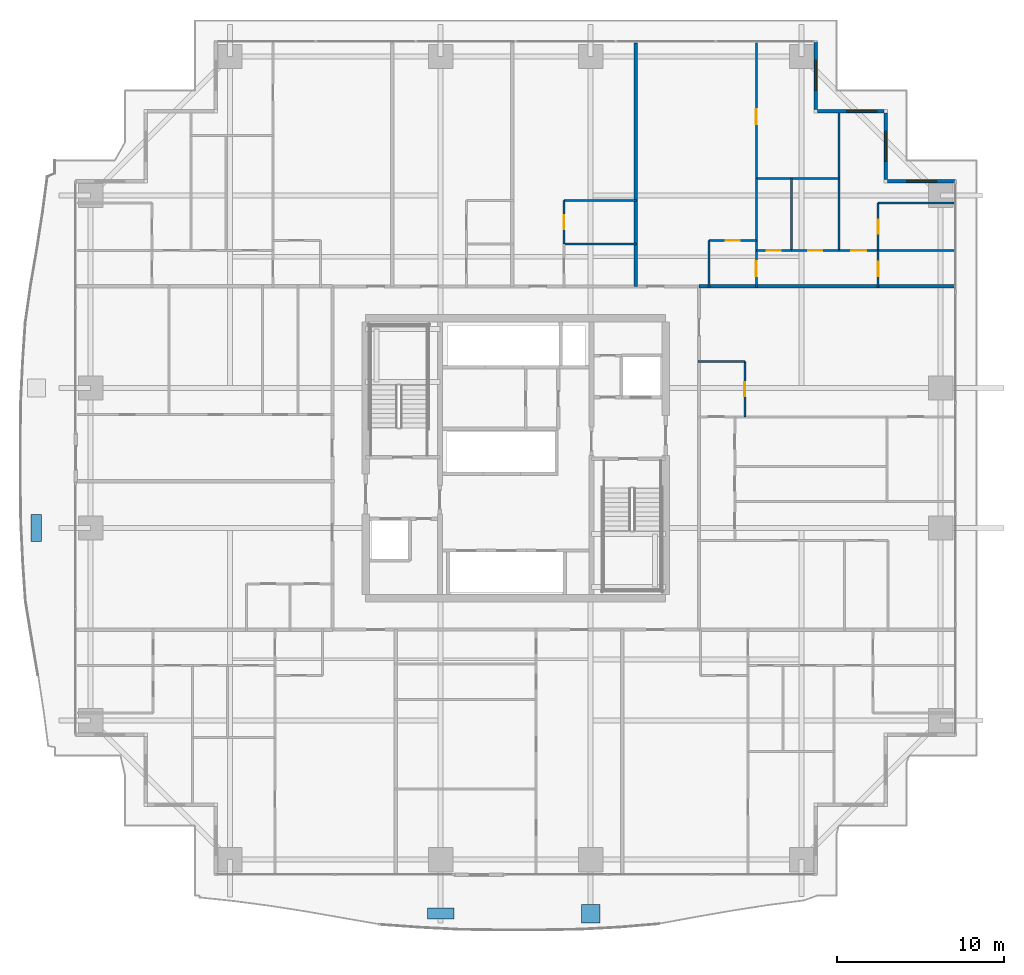
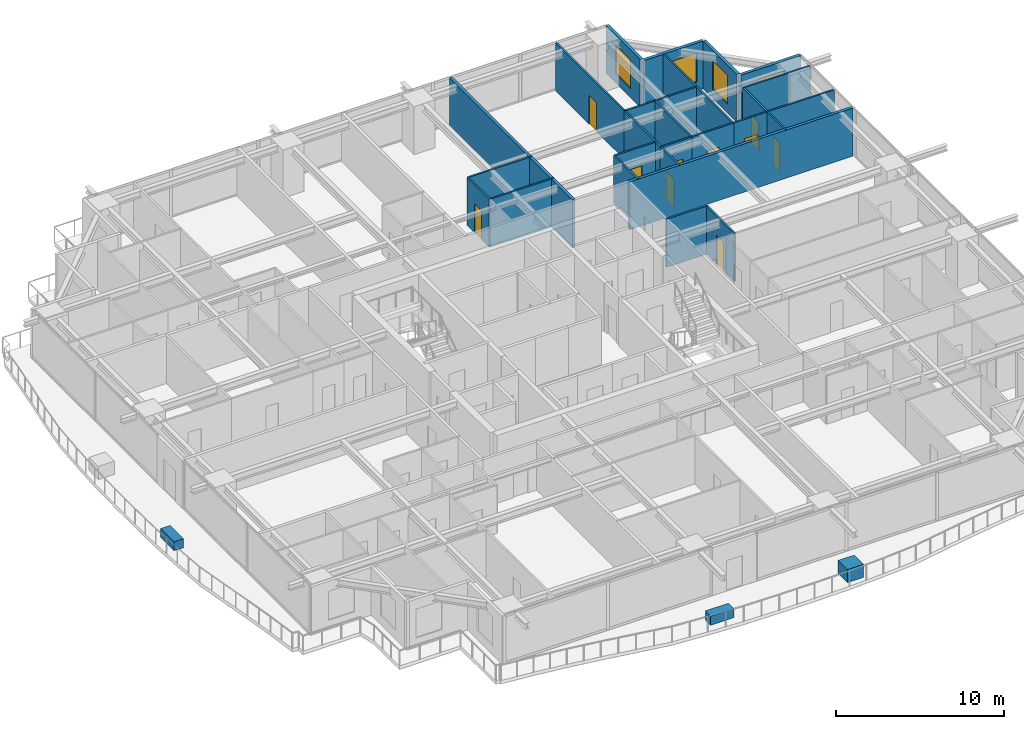
# One storey, part 32 of 41: 26 walls, 10 doors, 4 windows, 3 discrete accessories, 14 openings.
"""IFC4 building model written with IfcOpenShell, lengths in metres."""

from ifc_helpers import new_model, si_unit, direction, frame, frame_2d, origin, origin_2d, place, context, subcontext, project, spatial, rectangle, extrude, source, transform, mapped, material, layer, layer_set, type_object, element, fill, save


model = new_model("IFC4")

# Units and contexts
model_context = context("Model", 3, precision=1e-05, world=origin(), true_north=direction((0.0, 1.0)))
body_context = subcontext(model_context, "Body", "Model", "MODEL_VIEW")
ifc_project = project(units=[si_unit("LENGTHUNIT", "METRE"), si_unit("AREAUNIT", "SQUARE_METRE"), si_unit("VOLUMEUNIT", "CUBIC_METRE"), si_unit("PLANEANGLEUNIT", "RADIAN"), si_unit("MASSUNIT", "GRAM", prefix="KILO")], contexts=[model_context])

# Site, building, storey
site_placement = place(None, origin())
site = spatial("IfcSite", under=ifc_project, at=site_placement, CompositionType="ELEMENT")
building_placement = place(site_placement, origin())
building = spatial("IfcBuilding", under=site, at=building_placement, Name="Serunith Strait Residences", CompositionType="ELEMENT")
storey_placement = place(building_placement, frame((0.0, 0.0, 45.449951171875)))
storey = spatial("IfcBuildingStorey", under=building, at=storey_placement, Name="L10", CompositionType="ELEMENT", Elevation=45.449951171875)

# Wall, opening, window
ifc_material_1 = material(Name="Pale-Champagne Aluminium Insulated Panel", Category="aluminium")
ifc_layer_1 = layer(ifc_material_1, 0.219970703125, Name="Pale-Champagne Aluminium Insulated Panel")
ifc_layer_set_1 = layer_set([ifc_layer_1], Name="Pale-Champagne Aluminium Insulated Panel")
wall_type_1 = type_object("IfcWallType", Name="EW-ALUM-220", PredefinedType="ELEMENTEDWALL", material=ifc_layer_set_1)
wall_1_placement = place(storey_placement, frame((58.800048828125, 41.800048828125, 0.0), z_axis=(0.0, 0.0, 1.0), x_axis=(-1.0, 0.0, 0.0)))
wall_1 = element("IfcWall", 1, at=wall_1_placement, inside=storey, type_object=wall_type_1, Name="L10 Girih Serrated Corner Wall 07", PredefinedType="ELEMENTEDWALL", context=body_context, shape_type="SweptSolid", body=[
    extrude(rectangle(XDim=4.090087890625, YDim=0.219970703125, at=frame_2d((2.044921875, 0.0))), origin(), (0.0, 0.0, 1.0), 3.47509765625),
])
opening_1_placement = place(wall_1_placement, frame((1.14501953125, 0.0, 0.64990234375)))
opening_1 = element("IfcOpeningElement", 2, at=opening_1_placement, cuts=wall_1, Name="Opening W-01", PredefinedType="OPENING", context=body_context, shape_type="SweptSolid", body=[
    extrude(rectangle(XDim=1.800048828125, YDim=2.10009765625, at=frame_2d((0.89990234375, 1.050048828125))), frame((0.0, 0.1201171875, 0.0), z_axis=(0.0, -1.0, 0.0), x_axis=(1.0, 0.0, 0.0)), (0.0, 0.0, 1.0), 0.239990234375),
])
ifc_material_2 = material(Name="Ceramic-Fritted Operable Aluminium Window Glass", Category="aluminium")
window_type = type_object("IfcWindowType", Name="WIN-C1", PartitioningType="DOUBLE_PANEL_VERTICAL", PredefinedType="WINDOW", material=ifc_material_2)
shared_shape_1 = source(origin(), body_context, "Body", "SweptSolid", [
    extrude(rectangle(XDim=1.800048828125, YDim=2.10009765625, at=frame_2d((0.89990234375, 1.050048828125))), frame((0.0, 0.030029296875, 0.0), z_axis=(0.0, -1.0, 0.0), x_axis=(1.0, 0.0, 0.0)), (0.0, 0.0, 1.0), 0.06005859375),
])
window_1_placement = place(opening_1_placement, origin())
window_1 = element("IfcWindow", 3, at=window_1_placement, inside=storey, type_object=window_type, Name="L10 Corner Operable Fritted Window 07", OverallHeight=2.10009765625, OverallWidth=1.800048828125, PartitioningType="SINGLE_PANEL", PredefinedType="WINDOW", context=body_context, shape_type="MappedRepresentation", body=[
    mapped(shared_shape_1, transform((0.0, 0.0, 0.0), scale=1.0)),
])
fill(opening_1, window_1)

wall_2_placement = place(storey_placement, frame((54.60009765625, 41.909912109375, 0.0), z_axis=(0.0, 0.0, 1.0), x_axis=(0.0, 1.0, 0.0)))
wall_2 = element("IfcWall", 4, at=wall_2_placement, inside=storey, type_object=wall_type_1, Name="L10 Girih Serrated Corner Wall 08", PredefinedType="ELEMENTEDWALL", context=body_context, shape_type="SweptSolid", body=[
    extrude(rectangle(XDim=3.97998046875, YDim=0.219970703125, at=frame_2d((1.989990234375, 0.0))), origin(), (0.0, 0.0, 1.0), 3.47509765625),
])
opening_2_placement = place(wall_2_placement, frame((1.090087890625, 0.0, 0.64990234375)))
opening_2 = element("IfcOpeningElement", 5, at=opening_2_placement, cuts=wall_2, Name="Opening W-01", PredefinedType="OPENING", context=body_context, shape_type="SweptSolid", body=[
    extrude(rectangle(XDim=1.800048828125, YDim=2.10009765625, at=frame_2d((0.89990234375, 1.050048828125))), frame((0.0, 0.1201171875, 0.0), z_axis=(0.0, -1.0, 0.0), x_axis=(1.0, 0.0, 0.0)), (0.0, 0.0, 1.0), 0.239990234375),
])
window_2_placement = place(opening_2_placement, origin())
window_2 = element("IfcWindow", 6, at=window_2_placement, inside=storey, type_object=window_type, Name="L10 Corner Operable Fritted Window 08", OverallHeight=2.10009765625, OverallWidth=1.800048828125, PartitioningType="SINGLE_PANEL", PredefinedType="WINDOW", context=body_context, shape_type="MappedRepresentation", body=[
    mapped(shared_shape_1, transform((0.0, 0.0, 0.0), scale=1.0)),
])
fill(opening_2, window_2)

wall_3_placement = place(storey_placement, frame((54.489990234375, 46.0, 0.0), z_axis=(0.0, 0.0, 1.0), x_axis=(-1.0, 0.0, 0.0)))
wall_3 = element("IfcWall", 7, at=wall_3_placement, inside=storey, type_object=wall_type_1, Name="L10 Girih Serrated Corner Wall 09", PredefinedType="ELEMENTEDWALL", context=body_context, shape_type="SweptSolid", body=[
    extrude(rectangle(XDim=3.97998046875, YDim=0.219970703125, at=frame_2d((1.989990234375, 0.0))), origin(), (0.0, 0.0, 1.0), 3.47509765625),
])
opening_3_placement = place(wall_3_placement, frame((0.43603515625, 0.0, 0.64990234375)))
opening_3 = element("IfcOpeningElement", 8, at=opening_3_placement, cuts=wall_3, Name="Opening W-01", PredefinedType="OPENING", context=body_context, shape_type="SweptSolid", body=[
    extrude(rectangle(XDim=1.800048828125, YDim=2.10009765625, at=frame_2d((0.89990234375, 1.050048828125))), frame((0.0, 0.1201171875, 0.0), z_axis=(0.0, -1.0, 0.0), x_axis=(1.0, 0.0, 0.0)), (0.0, 0.0, 1.0), 0.239990234375),
])
window_3_placement = place(opening_3_placement, origin())
window_3 = element("IfcWindow", 9, at=window_3_placement, inside=storey, type_object=window_type, Name="L10 Corner Operable Fritted Window 09", OverallHeight=2.10009765625, OverallWidth=1.800048828125, PartitioningType="SINGLE_PANEL", PredefinedType="WINDOW", context=body_context, shape_type="MappedRepresentation", body=[
    mapped(shared_shape_1, transform((0.0, 0.0, 0.0), scale=1.0)),
])
fill(opening_3, window_3)

wall_4_placement = place(storey_placement, frame((50.39990234375, 46.110107421875, 0.0), z_axis=(0.0, 0.0, 1.0), x_axis=(0.0, 1.0, 0.0)))
wall_4 = element("IfcWall", 10, at=wall_4_placement, inside=storey, type_object=wall_type_1, Name="L10 Girih Serrated Corner Wall 10", PredefinedType="ELEMENTEDWALL", context=body_context, shape_type="SweptSolid", body=[
    extrude(rectangle(XDim=4.08984375, YDim=0.219970703125, at=frame_2d((2.044921875, 0.0))), origin(), (0.0, 0.0, 1.0), 3.47509765625),
])
opening_4_placement = place(wall_4_placement, frame((1.14501953125, 0.0, 0.64990234375)))
opening_4 = element("IfcOpeningElement", 11, at=opening_4_placement, cuts=wall_4, Name="Opening W-01", PredefinedType="OPENING", context=body_context, shape_type="SweptSolid", body=[
    extrude(rectangle(XDim=1.800048828125, YDim=2.10009765625, at=frame_2d((0.89990234375, 1.050048828125))), frame((0.0, 0.1201171875, 0.0), z_axis=(0.0, -1.0, 0.0), x_axis=(1.0, 0.0, 0.0)), (0.0, 0.0, 1.0), 0.239990234375),
])
window_4_placement = place(opening_4_placement, origin())
window_4 = element("IfcWindow", 12, at=window_4_placement, inside=storey, type_object=window_type, Name="L10 Corner Operable Fritted Window 10", OverallHeight=2.10009765625, OverallWidth=1.800048828125, PartitioningType="SINGLE_PANEL", PredefinedType="WINDOW", context=body_context, shape_type="MappedRepresentation", body=[
    mapped(shared_shape_1, transform((0.0, 0.0, 0.0), scale=1.0)),
])
fill(opening_4, window_4)

# Wall, opening, door
ifc_material_3 = material(Name="Lightweight steel-stud gypsum partition", Category="steel")
ifc_layer_2 = layer(ifc_material_3, 0.1201171875, Name="Lightweight steel-stud gypsum partition")
ifc_layer_set_2 = layer_set([ifc_layer_2], Name="Lightweight steel-stud gypsum partition")
wall_type_2 = type_object("IfcWallType", Name="IW-PART-120", PredefinedType="PARTITIONING", material=ifc_layer_set_2)
wall_5_placement = place(storey_placement, frame((35.300048828125, 40.64990234375, 0.0), z_axis=(0.0, 0.0, 1.0), x_axis=(0.0, -1.0, 0.0)))
wall_5 = element("IfcWall", 13, at=wall_5_placement, inside=storey, type_object=wall_type_2, Name="L10 Partition Wall 085", PredefinedType="PARTITIONING", context=body_context, shape_type="SweptSolid", body=[
    extrude(rectangle(XDim=2.599853515625, YDim=0.1201171875, at=frame_2d((1.2998046875, 0.0))), origin(), (0.0, 0.0, 1.0), 3.489990234375),
])
opening_5_placement = place(wall_5_placement, frame((0.875, 0.0, 0.0)))
opening_5 = element("IfcOpeningElement", 14, at=opening_5_placement, cuts=wall_5, Name="Opening D-RM850", PredefinedType="OPENING", context=body_context, shape_type="SweptSolid", body=[
    extrude(rectangle(XDim=0.85009765625, YDim=2.10009765625, at=frame_2d((0.425048828125, 1.050048828125))), frame((0.0, 0.070068359375, 0.0), z_axis=(0.0, -1.0, 0.0), x_axis=(1.0, 0.0, 0.0)), (0.0, 0.0, 1.0), 0.14013671875),
])
ifc_material_4 = material(Name="Engineered timber flush study and kitchen door", Category="wood")
door_type_1 = type_object("IfcDoorType", Name="ID-ROOM-850", OperationType="NOTDEFINED", PredefinedType="DOOR", material=ifc_material_4)
shared_shape_2 = source(origin(), body_context, "Body", "SweptSolid", [
    extrude(rectangle(XDim=0.85009765625, YDim=2.10009765625, at=frame_2d((0.425048828125, 1.050048828125))), frame((0.0, 0.02490234375, 0.0), z_axis=(0.0, -1.0, 0.0), x_axis=(1.0, 0.0, 0.0)), (0.0, 0.0, 1.0), 0.050048828125),
])
door_1_placement = place(opening_5_placement, origin())
door_1 = element("IfcDoor", 15, at=door_1_placement, inside=storey, type_object=door_type_1, Name="L10 Kitchen 1006 Door", OperationType="SINGLE_SWING_RIGHT", OverallHeight=2.10009765625, OverallWidth=0.85009765625, PredefinedType="DOOR", context=body_context, shape_type="MappedRepresentation", body=[
    mapped(shared_shape_2, transform((0.0, 0.0, 0.0), scale=1.0)),
])
fill(opening_5, door_1)

# Walls
for number, where, z_axis, x_axis, name in (
    (16, (35.300048828125, 38.050048828125, 0.0), (0.0, 0.0, 1.0), (1.0, 0.0, 0.0), "L10 Partition Wall 087"),
    (17, (35.300048828125, 40.64990234375, 0.0), (0.0, 0.0, 1.0), (1.0, 0.0, 0.0), "L10 Partition Wall 088"),
):
    element("IfcWall", number, at=place(storey_placement, frame(where, z_axis=z_axis, x_axis=x_axis)), inside=storey, type_object=wall_type_2, Name=name, PredefinedType="PARTITIONING", context=body_context, shape_type="SweptSolid", body=[
        extrude(rectangle(XDim=4.35986328125, YDim=0.1201171875, at=frame_2d((2.179931640625, 0.0))), origin(), (0.0, 0.0, 1.0), 3.489990234375),
    ])

# Wall, opening, door
wall_6_placement = place(storey_placement, frame((43.989990234375, 38.25, 0.0), z_axis=(0.0, 0.0, 1.0), x_axis=(1.0, 0.0, 0.0)))
wall_6 = element("IfcWall", 18, at=wall_6_placement, inside=storey, type_object=wall_type_2, Name="L10 Partition Wall 089", PredefinedType="PARTITIONING", context=body_context, shape_type="SweptSolid", body=[
    extrude(rectangle(XDim=2.85009765625, YDim=0.1201171875, at=frame_2d((1.425048828125, 0.0))), origin(), (0.0, 0.0, 1.0), 3.489990234375),
])
opening_6_placement = place(wall_6_placement, frame((1.0, 0.0, 0.0)))
opening_6 = element("IfcOpeningElement", 19, at=opening_6_placement, cuts=wall_6, Name="Opening D-RM850", PredefinedType="OPENING", context=body_context, shape_type="SweptSolid", body=[
    extrude(rectangle(XDim=0.85009765625, YDim=2.10009765625, at=frame_2d((0.425048828125, 1.050048828125))), frame((0.0, 0.070068359375, 0.0), z_axis=(0.0, -1.0, 0.0), x_axis=(1.0, 0.0, 0.0)), (0.0, 0.0, 1.0), 0.14013671875),
])
door_2_placement = place(opening_6_placement, origin())
door_2 = element("IfcDoor", 20, at=door_2_placement, inside=storey, type_object=door_type_1, Name="L10 Kitchen 1007 Door", OperationType="SINGLE_SWING_RIGHT", OverallHeight=2.10009765625, OverallWidth=0.85009765625, PredefinedType="DOOR", context=body_context, shape_type="MappedRepresentation", body=[
    mapped(shared_shape_2, transform((0.0, 0.0, 0.0), scale=1.0)),
])
fill(opening_6, door_2)

# Wall
wall_7_placement = place(storey_placement, frame((43.989990234375, 38.25, 0.0), z_axis=(0.0, 0.0, 1.0), x_axis=(0.0, -1.0, 0.0)))
element("IfcWall", 21, at=wall_7_placement, inside=storey, type_object=wall_type_2, Name="L10 Partition Wall 090", PredefinedType="PARTITIONING", context=body_context, shape_type="SweptSolid", body=[
    extrude(rectangle(XDim=2.81005859375, YDim=0.1201171875, at=frame_2d((1.405029296875, 0.0))), origin(), (0.0, 0.0, 1.0), 3.489990234375),
])

# Wall, opening, door
wall_8_placement = place(storey_placement, frame((46.840087890625, 37.64990234375, 0.0), z_axis=(0.0, 0.0, 1.0), x_axis=(0.0, -1.0, 0.0)))
wall_8 = element("IfcWall", 22, at=wall_8_placement, inside=storey, type_object=wall_type_2, Name="L10 Partition Wall 091", PredefinedType="PARTITIONING", context=body_context, shape_type="SweptSolid", body=[
    extrude(rectangle(XDim=2.2099609375, YDim=0.1201171875, at=frame_2d((1.10498046875, 0.0))), origin(), (0.0, 0.0, 1.0), 3.489990234375),
])
opening_7_placement = place(wall_8_placement, frame((0.655029296875, 0.0, 0.0)))
opening_7 = element("IfcOpeningElement", 23, at=opening_7_placement, cuts=wall_8, Name="Opening D-RM900", PredefinedType="OPENING", context=body_context, shape_type="SweptSolid", body=[
    extrude(rectangle(XDim=0.89990234375, YDim=2.10009765625, at=frame_2d((0.449951171875, 1.050048828125))), frame((0.0, 0.070068359375, 0.0), z_axis=(0.0, -1.0, 0.0), x_axis=(1.0, 0.0, 0.0)), (0.0, 0.0, 1.0), 0.14013671875),
])
ifc_material_5 = material(Name="Engineered timber flush bedroom door", Category="wood")
door_type_2 = type_object("IfcDoorType", Name="ID-ROOM-900", OperationType="NOTDEFINED", PredefinedType="DOOR", material=ifc_material_5)
shared_shape_3 = source(origin(), body_context, "Body", "SweptSolid", [
    extrude(rectangle(XDim=0.89990234375, YDim=2.10009765625, at=frame_2d((0.449951171875, 1.050048828125))), frame((0.0, 0.02490234375, 0.0), z_axis=(0.0, -1.0, 0.0), x_axis=(1.0, 0.0, 0.0)), (0.0, 0.0, 1.0), 0.050048828125),
])
door_3_placement = place(opening_7_placement, origin())
door_3 = element("IfcDoor", 24, at=door_3_placement, inside=storey, type_object=door_type_2, Name="L10 Hall E 1007 Door", OperationType="SINGLE_SWING_LEFT", OverallHeight=2.10009765625, OverallWidth=0.89990234375, PredefinedType="DOOR", context=body_context, shape_type="MappedRepresentation", body=[
    mapped(shared_shape_3, transform((0.0, 0.0, 0.0), scale=1.0)),
])
fill(opening_7, door_3)

wall_9_placement = place(storey_placement, frame((46.840087890625, 50.10498046875, 0.0), z_axis=(0.0, 0.0, 1.0), x_axis=(0.0, -1.0, 0.0)))
wall_9 = element("IfcWall", 25, at=wall_9_placement, inside=storey, type_object=wall_type_2, Name="L10 Partition Wall 092", PredefinedType="PARTITIONING", context=body_context, shape_type="SweptSolid", body=[
    extrude(rectangle(XDim=8.12890625, YDim=0.1201171875, at=frame_2d((4.064453125, 0.0))), origin(), (0.0, 0.0, 1.0), 3.489990234375),
])
opening_8_placement = place(wall_9_placement, frame((3.97607421875, 0.0, 0.0)))
opening_8 = element("IfcOpeningElement", 26, at=opening_8_placement, cuts=wall_9, Name="Opening D-RM900", PredefinedType="OPENING", context=body_context, shape_type="SweptSolid", body=[
    extrude(rectangle(XDim=0.89990234375, YDim=2.10009765625, at=frame_2d((0.449951171875, 1.050048828125))), frame((0.0, 0.070068359375, 0.0), z_axis=(0.0, -1.0, 0.0), x_axis=(1.0, 0.0, 0.0)), (0.0, 0.0, 1.0), 0.14013671875),
])
door_4_placement = place(opening_8_placement, origin())
door_4 = element("IfcDoor", 27, at=door_4_placement, inside=storey, type_object=door_type_2, Name="L10 Formal Dining Room 1 1007 Door", OperationType="SINGLE_SWING_RIGHT", OverallHeight=2.10009765625, OverallWidth=0.89990234375, PredefinedType="DOOR", context=body_context, shape_type="MappedRepresentation", body=[
    mapped(shared_shape_3, transform((0.0, 0.0, 0.0), scale=1.0)),
])
fill(opening_8, door_4)

# Walls
wall_10_placement = place(storey_placement, frame((46.840087890625, 41.97412109375, 0.0), z_axis=(0.0, 0.0, 1.0), x_axis=(0.0, -1.0, 0.0)))
element("IfcWall", 28, at=wall_10_placement, inside=storey, type_object=wall_type_2, Name="L10 Partition Wall 093", PredefinedType="PARTITIONING", context=body_context, shape_type="SweptSolid", body=[
    extrude(rectangle(XDim=4.322021484375, YDim=0.1201171875, at=frame_2d((2.1611328125, 0.0))), origin(), (0.0, 0.0, 1.0), 3.489990234375),
])
wall_11_placement = place(storey_placement, frame((46.840087890625, 41.97607421875, 0.0), z_axis=(0.0, 0.0, 1.0), x_axis=(1.0, 0.0, 0.0)))
element("IfcWall", 29, at=wall_11_placement, inside=storey, type_object=wall_type_2, Name="L10 Partition Wall 094", PredefinedType="PARTITIONING", context=body_context, shape_type="SweptSolid", body=[
    extrude(rectangle(XDim=4.9599609375, YDim=0.1201171875, at=frame_2d((2.47998046875, 0.0))), origin(), (0.0, 0.0, 1.0), 3.489990234375),
])
wall_12_placement = place(storey_placement, frame((51.800048828125, 45.905029296875, 0.0), z_axis=(0.0, 0.0, 1.0), x_axis=(0.0, -1.0, 0.0)))
element("IfcWall", 30, at=wall_12_placement, inside=storey, type_object=wall_type_2, Name="L10 Partition Wall 095", PredefinedType="PARTITIONING", context=body_context, shape_type="SweptSolid", body=[
    extrude(rectangle(XDim=8.255126953125, YDim=0.1201171875, at=frame_2d((4.12744140625, 0.0))), origin(), (0.0, 0.0, 1.0), 3.489990234375),
])
wall_13_placement = place(storey_placement, frame((48.93994140625, 41.97607421875, 0.0), z_axis=(0.0, 0.0, 1.0), x_axis=(0.0, -1.0, 0.0)))
element("IfcWall", 31, at=wall_13_placement, inside=storey, type_object=wall_type_2, Name="L10 Partition Wall 096", PredefinedType="PARTITIONING", context=body_context, shape_type="SweptSolid", body=[
    extrude(rectangle(XDim=4.326171875, YDim=0.1201171875, at=frame_2d((2.1630859375, 0.0))), origin(), (0.0, 0.0, 1.0), 3.489990234375),
])

# Wall, opening, door
wall_14_placement = place(storey_placement, frame((46.840087890625, 37.64990234375, 0.0), z_axis=(0.0, 0.0, 1.0), x_axis=(1.0, 0.0, 0.0)))
wall_14 = element("IfcWall", 32, at=wall_14_placement, inside=storey, type_object=wall_type_2, Name="L10 Partition Wall 097", PredefinedType="PARTITIONING", context=body_context, shape_type="SweptSolid", body=[
    extrude(rectangle(XDim=2.099853515625, YDim=0.1201171875, at=frame_2d((1.0498046875, 0.0))), origin(), (0.0, 0.0, 1.0), 3.489990234375),
])
opening_9_placement = place(wall_14_placement, frame((0.625, 0.0, 0.0)))
opening_9 = element("IfcOpeningElement", 33, at=opening_9_placement, cuts=wall_14, Name="Opening D-BTH850", PredefinedType="OPENING", context=body_context, shape_type="SweptSolid", body=[
    extrude(rectangle(XDim=0.85009765625, YDim=2.10009765625, at=frame_2d((0.425048828125, 1.050048828125))), frame((0.0, 0.070068359375, 0.0), z_axis=(0.0, -1.0, 0.0), x_axis=(1.0, 0.0, 0.0)), (0.0, 0.0, 1.0), 0.14013671875),
])
ifc_material_6 = material(Name="Moisture-resistant timber bathroom door", Category="wood")
door_type_3 = type_object("IfcDoorType", Name="ID-BATH-850", OperationType="NOTDEFINED", PredefinedType="DOOR", material=ifc_material_6)
door_5_placement = place(opening_9_placement, origin())
door_5 = element("IfcDoor", 34, at=door_5_placement, inside=storey, type_object=door_type_3, Name="L10 Bathroom 1007 Door", OperationType="SINGLE_SWING_LEFT", OverallHeight=2.10009765625, OverallWidth=0.85009765625, PredefinedType="DOOR", context=body_context, shape_type="MappedRepresentation", body=[
    mapped(shared_shape_2, transform((0.0, 0.0, 0.0), scale=1.0)),
])
fill(opening_9, door_5)

wall_15_placement = place(storey_placement, frame((48.94189453125, 37.64990234375, 0.0), z_axis=(0.0, 0.0, 1.0), x_axis=(1.0, 0.0, 0.0)))
wall_15 = element("IfcWall", 35, at=wall_15_placement, inside=storey, type_object=wall_type_2, Name="L10 Partition Wall 098", PredefinedType="PARTITIONING", context=body_context, shape_type="SweptSolid", body=[
    extrude(rectangle(XDim=2.858154296875, YDim=0.1201171875, at=frame_2d((1.42919921875, 0.0))), origin(), (0.0, 0.0, 1.0), 3.489990234375),
])
opening_10_placement = place(wall_15_placement, frame((1.00390625, 0.0, 0.0)))
opening_10 = element("IfcOpeningElement", 36, at=opening_10_placement, cuts=wall_15, Name="Opening D-RM850", PredefinedType="OPENING", context=body_context, shape_type="SweptSolid", body=[
    extrude(rectangle(XDim=0.85009765625, YDim=2.10009765625, at=frame_2d((0.425048828125, 1.050048828125))), frame((0.0, 0.070068359375, 0.0), z_axis=(0.0, -1.0, 0.0), x_axis=(1.0, 0.0, 0.0)), (0.0, 0.0, 1.0), 0.14013671875),
])
door_6_placement = place(opening_10_placement, origin())
door_6 = element("IfcDoor", 37, at=door_6_placement, inside=storey, type_object=door_type_1, Name="L10 Formal Dining Room 1007 Door", OperationType="SINGLE_SWING_RIGHT", OverallHeight=2.10009765625, OverallWidth=0.85009765625, PredefinedType="DOOR", context=body_context, shape_type="MappedRepresentation", body=[
    mapped(shared_shape_2, transform((0.0, 0.0, 0.0), scale=1.0)),
])
fill(opening_10, door_6)

wall_16_placement = place(storey_placement, frame((51.802001953125, 37.64990234375, 0.0), z_axis=(0.0, 0.0, 1.0), x_axis=(1.0, 0.0, 0.0)))
wall_16 = element("IfcWall", 38, at=wall_16_placement, inside=storey, type_object=wall_type_2, Name="L10 Partition Wall 099", PredefinedType="PARTITIONING", context=body_context, shape_type="SweptSolid", body=[
    extrude(rectangle(XDim=2.347900390625, YDim=0.1201171875, at=frame_2d((1.173828125, 0.0))), origin(), (0.0, 0.0, 1.0), 3.489990234375),
])
opening_11_placement = place(wall_16_placement, frame((0.72412109375, 0.0, 0.0)))
opening_11 = element("IfcOpeningElement", 39, at=opening_11_placement, cuts=wall_16, Name="Opening D-RM900", PredefinedType="OPENING", context=body_context, shape_type="SweptSolid", body=[
    extrude(rectangle(XDim=0.89990234375, YDim=2.10009765625, at=frame_2d((0.449951171875, 1.050048828125))), frame((0.0, 0.070068359375, 0.0), z_axis=(0.0, -1.0, 0.0), x_axis=(1.0, 0.0, 0.0)), (0.0, 0.0, 1.0), 0.14013671875),
])
door_7_placement = place(opening_11_placement, origin())
door_7 = element("IfcDoor", 40, at=door_7_placement, inside=storey, type_object=door_type_2, Name="L10 Master Bedroom E 1007 Door", OperationType="SINGLE_SWING_LEFT", OverallHeight=2.10009765625, OverallWidth=0.89990234375, PredefinedType="DOOR", context=body_context, shape_type="MappedRepresentation", body=[
    mapped(shared_shape_3, transform((0.0, 0.0, 0.0), scale=1.0)),
])
fill(opening_11, door_7)

# Walls
wall_17_placement = place(storey_placement, frame((54.14990234375, 40.506103515625, 0.0), z_axis=(0.0, 0.0, 1.0), x_axis=(1.0, 0.0, 0.0)))
element("IfcWall", 41, at=wall_17_placement, inside=storey, type_object=wall_type_2, Name="L10 Partition Wall 100", PredefinedType="PARTITIONING", context=body_context, shape_type="SweptSolid", body=[
    extrude(rectangle(XDim=4.55517578125, YDim=0.1201171875, at=frame_2d((2.277587890625, 0.0))), origin(), (0.0, 0.0, 1.0), 3.489990234375),
])
wall_18_placement = place(storey_placement, frame((54.152099609375, 37.64990234375, 0.0), z_axis=(0.0, 0.0, 1.0), x_axis=(1.0, 0.0, 0.0)))
element("IfcWall", 42, at=wall_18_placement, inside=storey, type_object=wall_type_2, Name="L10 Partition Wall 101", PredefinedType="PARTITIONING", context=body_context, shape_type="SweptSolid", body=[
    extrude(rectangle(XDim=4.552978515625, YDim=0.1201171875, at=frame_2d((2.2763671875, 0.0))), origin(), (0.0, 0.0, 1.0), 3.489990234375),
])

# Wall, opening, door
wall_19_placement = place(storey_placement, frame((54.14990234375, 40.506103515625, 0.0), z_axis=(0.0, 0.0, 1.0), x_axis=(0.0, -1.0, 0.0)))
wall_19 = element("IfcWall", 43, at=wall_19_placement, inside=storey, type_object=wall_type_2, Name="L10 Partition Wall 102", PredefinedType="PARTITIONING", context=body_context, shape_type="SweptSolid", body=[
    extrude(rectangle(XDim=2.856201171875, YDim=0.1201171875, at=frame_2d((1.42822265625, 0.0))), origin(), (0.0, 0.0, 1.0), 3.489990234375),
])
opening_12_placement = place(wall_19_placement, frame((1.0029296875, 0.0, 0.0)))
opening_12 = element("IfcOpeningElement", 44, at=opening_12_placement, cuts=wall_19, Name="Opening D-BTH850", PredefinedType="OPENING", context=body_context, shape_type="SweptSolid", body=[
    extrude(rectangle(XDim=0.85009765625, YDim=2.10009765625, at=frame_2d((0.425048828125, 1.050048828125))), frame((0.0, 0.070068359375, 0.0), z_axis=(0.0, -1.0, 0.0), x_axis=(1.0, 0.0, 0.0)), (0.0, 0.0, 1.0), 0.14013671875),
])
door_8_placement = place(opening_12_placement, origin())
door_8 = element("IfcDoor", 45, at=door_8_placement, inside=storey, type_object=door_type_3, Name="L10 En-suite Bathroom E 1007 Door", OperationType="SINGLE_SWING_RIGHT", OverallHeight=2.10009765625, OverallWidth=0.85009765625, PredefinedType="DOOR", context=body_context, shape_type="MappedRepresentation", body=[
    mapped(shared_shape_2, transform((0.0, 0.0, 0.0), scale=1.0)),
])
fill(opening_12, door_8)

wall_20_placement = place(storey_placement, frame((54.14990234375, 37.64794921875, 0.0), z_axis=(0.0, 0.0, 1.0), x_axis=(0.0, -1.0, 0.0)))
wall_20 = element("IfcWall", 46, at=wall_20_placement, inside=storey, type_object=wall_type_2, Name="L10 Partition Wall 103", PredefinedType="PARTITIONING", context=body_context, shape_type="SweptSolid", body=[
    extrude(rectangle(XDim=2.2080078125, YDim=0.1201171875, at=frame_2d((1.10400390625, 0.0))), origin(), (0.0, 0.0, 1.0), 3.489990234375),
])
opening_13_placement = place(wall_20_placement, frame((0.678955078125, 0.0, 0.0)))
opening_13 = element("IfcOpeningElement", 47, at=opening_13_placement, cuts=wall_20, Name="Opening D-RM850", PredefinedType="OPENING", context=body_context, shape_type="SweptSolid", body=[
    extrude(rectangle(XDim=0.85009765625, YDim=2.10009765625, at=frame_2d((0.425048828125, 1.050048828125))), frame((0.0, 0.070068359375, 0.0), z_axis=(0.0, -1.0, 0.0), x_axis=(1.0, 0.0, 0.0)), (0.0, 0.0, 1.0), 0.14013671875),
])
door_9_placement = place(opening_13_placement, origin())
door_9 = element("IfcDoor", 48, at=door_9_placement, inside=storey, type_object=door_type_1, Name="L10 Wardrobe E 1007 Door", OperationType="SINGLE_SWING_LEFT", OverallHeight=2.10009765625, OverallWidth=0.85009765625, PredefinedType="DOOR", context=body_context, shape_type="MappedRepresentation", body=[
    mapped(shared_shape_2, transform((0.0, 0.0, 0.0), scale=1.0)),
])
fill(opening_13, door_9)

wall_21_placement = place(storey_placement, frame((46.14990234375, 27.669921875, 0.0), z_axis=(0.0, 0.0, 1.0), x_axis=(0.0, 1.0, 0.0)))
wall_21 = element("IfcWall", 49, at=wall_21_placement, inside=storey, type_object=wall_type_2, Name="L10 Partition Wall 115", PredefinedType="PARTITIONING", context=body_context, shape_type="SweptSolid", body=[
    extrude(rectangle(XDim=3.330078125, YDim=0.1201171875, at=frame_2d((1.6650390625, 0.0))), origin(), (0.0, 0.0, 1.0), 3.489990234375),
])
opening_14_placement = place(wall_21_placement, frame((1.239990234375, 0.0, 0.0)))
opening_14 = element("IfcOpeningElement", 50, at=opening_14_placement, cuts=wall_21, Name="Opening D-RM850", PredefinedType="OPENING", context=body_context, shape_type="SweptSolid", body=[
    extrude(rectangle(XDim=0.85009765625, YDim=2.10009765625, at=frame_2d((0.425048828125, 1.050048828125))), frame((0.0, 0.070068359375, 0.0), z_axis=(0.0, -1.0, 0.0), x_axis=(1.0, 0.0, 0.0)), (0.0, 0.0, 1.0), 0.14013671875),
])
door_10_placement = place(opening_14_placement, origin())
door_10 = element("IfcDoor", 51, at=door_10_placement, inside=storey, type_object=door_type_1, Name="L10 Kitchen 1010 Door", OperationType="SINGLE_SWING_RIGHT", OverallHeight=2.10009765625, OverallWidth=0.85009765625, PredefinedType="DOOR", context=body_context, shape_type="MappedRepresentation", body=[
    mapped(shared_shape_2, transform((0.0, 0.0, 0.0), scale=1.0)),
])
fill(opening_14, door_10)

# Walls
wall_22_placement = place(storey_placement, frame((46.14990234375, 31.0, 0.0), z_axis=(0.0, 0.0, 1.0), x_axis=(-1.0, 0.0, 0.0)))
element("IfcWall", 52, at=wall_22_placement, inside=storey, type_object=wall_type_2, Name="L10 Partition Wall 116", PredefinedType="PARTITIONING", context=body_context, shape_type="SweptSolid", body=[
    extrude(rectangle(XDim=2.809814453125, YDim=0.1201171875, at=frame_2d((1.40478515625, 0.0))), origin(), (0.0, 0.0, 1.0), 3.489990234375),
])
ifc_material_7 = material(Name="Twin-stud acoustic gypsum board partition")
ifc_layer_3 = layer(ifc_material_7, 0.199951171875, Name="Twin-stud acoustic gypsum board partition")
ifc_layer_set_3 = layer_set([ifc_layer_3], Name="Twin-stud acoustic gypsum board partition")
wall_type_3 = type_object("IfcWallType", Name="IW-PARTY-200", PredefinedType="PARTITIONING", material=ifc_layer_set_3)
wall_23_placement = place(storey_placement, frame((39.60009765625, 35.5, 0.0), z_axis=(0.0, 0.0, 1.0), x_axis=(0.0, 1.0, 0.0)))
element("IfcWall", 53, at=wall_23_placement, inside=storey, type_object=wall_type_3, Name="L10 Partition Wall 019", PredefinedType="PARTITIONING", context=body_context, shape_type="SweptSolid", body=[
    extrude(rectangle(XDim=14.617919921875, YDim=0.199951171875, at=frame_2d((7.30908203125, 0.0))), origin(), (0.0, 0.0, 1.0), 3.489990234375),
])
wall_24_placement = place(storey_placement, frame((43.39990234375, 35.5, 0.0), z_axis=(0.0, 0.0, 1.0), x_axis=(1.0, 0.0, 0.0)))
element("IfcWall", 54, at=wall_24_placement, inside=storey, type_object=wall_type_3, Name="L10 Partition Wall 024", PredefinedType="PARTITIONING", context=body_context, shape_type="SweptSolid", body=[
    extrude(rectangle(XDim=15.318115234375, YDim=0.199951171875, at=frame_2d((7.6591796875, 0.0))), origin(), (0.0, 0.0, 1.0), 3.489990234375),
])

# Discrete accessories
ifc_material_8 = material(Name="GFRC Root-Anchored Structural Planter")
discrete_accessory_type_1 = type_object("IfcDiscreteAccessoryType", Name="ACC-PLANTER-TREE", PredefinedType="USERDEFINED", material=ifc_material_8)
shared_shape_4 = source(origin(), body_context, "Body", "SweptSolid", [
    extrude(rectangle(XDim=1.10009765625, YDim=1.10009765625, at=origin_2d()), origin(), (0.0, 0.0, 1.0), 0.949951171875),
])
discrete_accessory_placement = place(storey_placement, frame((36.89990234375, -2.14453125, -0.0498046875), z_axis=(0.0, 0.0, 1.0), x_axis=(1.0, 0.0, 0.0)))
element("IfcDiscreteAccessory", 55, at=discrete_accessory_placement, inside=storey, type_object=discrete_accessory_type_1, Name="L10 Vertical-Forest Tree Planter 03", ObjectType="PLANTER", PredefinedType="USERDEFINED", context=body_context, shape_type="MappedRepresentation", body=[
    mapped(shared_shape_4, transform((0.0, 0.0, 0.0), scale=1.0)),
])
ifc_material_9 = material(Name="GFRC Irrigated Shrub Trough Planter")
discrete_accessory_type_2 = type_object("IfcDiscreteAccessoryType", Name="ACC-PLANTER-SHRUB", PredefinedType="USERDEFINED", material=ifc_material_9)
shared_shape_5 = source(origin(), body_context, "Body", "SweptSolid", [
    extrude(rectangle(XDim=1.60009765625, YDim=0.64990234375, at=origin_2d()), origin(), (0.0, 0.0, 1.0), 0.64990234375),
])
for number, where, z_axis, x_axis, name in (
    (56, (27.89990234375, -2.12841796875, -0.0498046875), (0.0, 0.0, 1.0), (1.0, 0.0, 0.0), "L10 Vertical-Forest Shrub Planter 02"),
    (57, (3.63037109375, 21.0, -0.0498046875), (0.0, 0.0, 1.0), (0.0, -1.0, 0.0), "L10 Vertical-Forest Shrub Planter 14"),
):
    element("IfcDiscreteAccessory", number, at=place(storey_placement, frame(where, z_axis=z_axis, x_axis=x_axis)), inside=storey, type_object=discrete_accessory_type_2, Name=name, ObjectType="PLANTER", PredefinedType="USERDEFINED", context=body_context, shape_type="MappedRepresentation", body=[
        mapped(shared_shape_5, transform((0.0, 0.0, 0.0), scale=1.0)),
    ])

save(model, "model.ifc")
